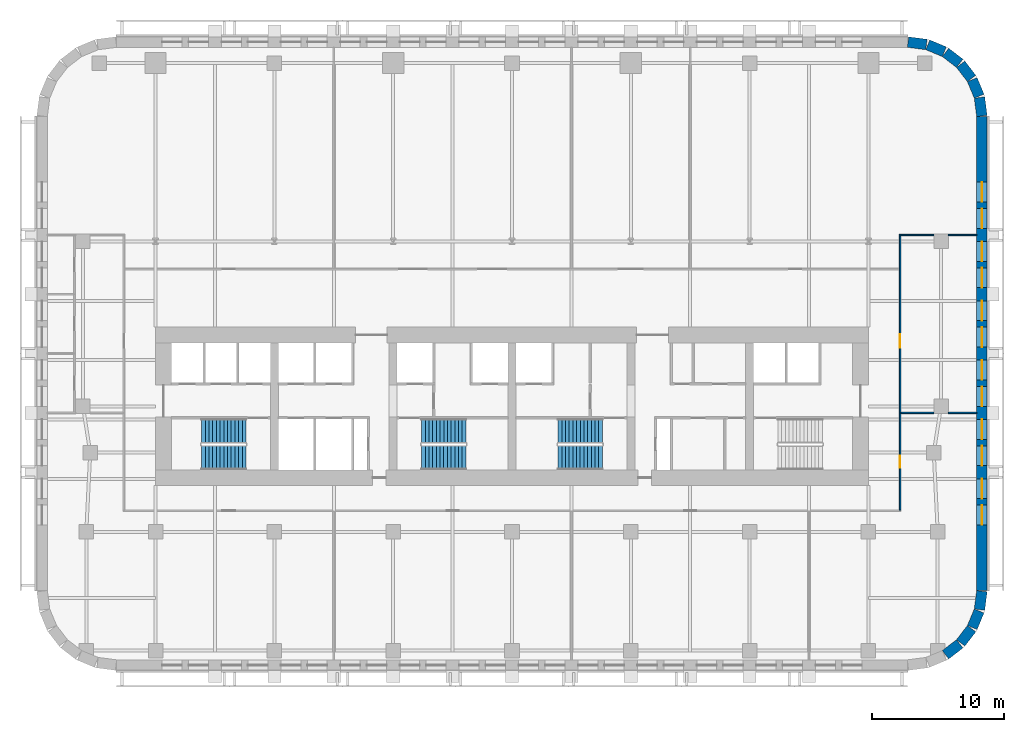
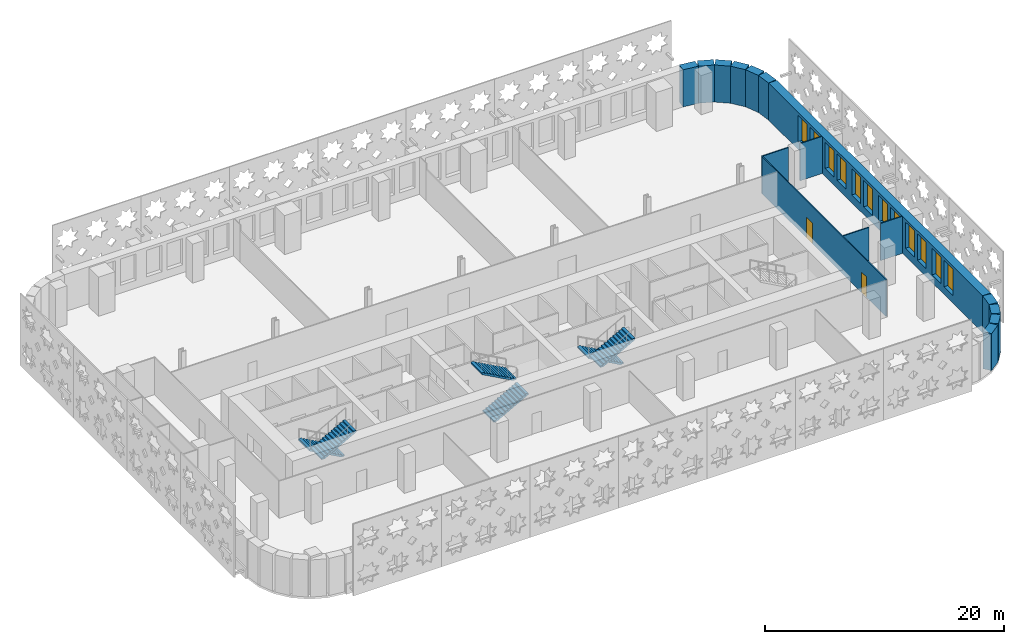
# One storey, part 8 of 14: 16 walls, 12 windows, 6 stair flights, 2 doors, 14 openings, 3 elements without a shape of their own.
"""IFC4 building model written with IfcOpenShell, lengths in metres."""

from ifc_helpers import new_model, si_unit, direction, frame, frame_2d, origin, place, context, subcontext, project, spatial, polyline, rectangle, outline, extrude, material, layer, layer_set, type_object, element, fill, aggregate, save


model = new_model("IFC4")

# Units and contexts
model_context = context("Model", 3, precision=1e-05, world=origin(), true_north=direction((0.0, 1.0)))
body_context = subcontext(model_context, "Body", "Model", "MODEL_VIEW")
ifc_project = project(units=[si_unit("LENGTHUNIT", "METRE"), si_unit("AREAUNIT", "SQUARE_METRE"), si_unit("VOLUMEUNIT", "CUBIC_METRE"), si_unit("PLANEANGLEUNIT", "RADIAN"), si_unit("MASSUNIT", "GRAM", prefix="KILO")], contexts=[model_context])

# Site, building, storey
site_placement = place(None, origin())
site = spatial("IfcSite", under=ifc_project, at=site_placement, CompositionType="ELEMENT")
building_placement = place(site_placement, origin())
building = spatial("IfcBuilding", under=site, at=building_placement, Name="Zellij Exchange Tower", CompositionType="ELEMENT")
storey_placement = place(building_placement, frame((0.0, 0.0, 68.5)))
storey = spatial("IfcBuildingStorey", under=building, at=storey_placement, Name="L13", CompositionType="ELEMENT", Elevation=68.5)

# Walls
ifc_material_1 = material(Name="Precast concrete C40/50", Category="concrete")
ifc_layer_1 = layer(ifc_material_1, 0.800048828125)
ifc_layer_set_1 = layer_set([ifc_layer_1], Name="Precast concrete C40/50")
wall_type_1 = type_object("IfcWallType", Name="ENV-EW1 Precast stone-piered wall 800", PredefinedType="SOLIDWALL", material=ifc_layer_set_1)
for number, where, z_axis, x_axis, name in (
    (1, (32.840087890625, -26.814697265625, 0.0), (0.0, 0.0, 1.0), (0.793272915452, 0.608866226366, 0.0), "fac.L13.03"),
    (2, (33.9892578125, -25.91552734375, 0.0), (0.0, 0.0, 1.0), (0.608866226366, 0.793272915452, 0.0), "fac.L13.04"),
):
    element("IfcWall", number, at=place(storey_placement, frame(where, z_axis=z_axis, x_axis=x_axis)), inside=storey, type_object=wall_type_1, Name=name, PredefinedType="SOLIDWALL", context=body_context, shape_type="SweptSolid", body=[
        extrude(rectangle(XDim=1.355712890625, YDim=0.800048828125, at=frame_2d((0.677734375, 0.0))), origin(), (0.0, 0.0, 1.0), 3.800048828125),
    ])
wall_1_placement = place(storey_placement, frame((34.866943359375, -24.74951171875, 0.0), z_axis=(0.0, 0.0, 1.0), x_axis=(0.38276009378, 0.923847774587, 0.0)))
element("IfcWall", 3, at=wall_1_placement, inside=storey, type_object=wall_type_1, Name="fac.L13.05", PredefinedType="SOLIDWALL", context=body_context, shape_type="SweptSolid", body=[
    extrude(rectangle(XDim=1.35546875, YDim=0.800048828125, at=frame_2d((0.677734375, 0.0))), origin(), (0.0, 0.0, 1.0), 3.800048828125),
])
wall_2_placement = place(storey_placement, frame((35.412841796875, -23.396240234375, 0.0), z_axis=(0.0, 0.0, 1.0), x_axis=(0.130517283865, 0.99144603414, 0.0)))
element("IfcWall", 4, at=wall_2_placement, inside=storey, type_object=wall_type_1, Name="fac.L13.06", PredefinedType="SOLIDWALL", context=body_context, shape_type="SweptSolid", body=[
    extrude(rectangle(XDim=1.408447265625, YDim=0.800048828125, at=frame_2d((0.7041015625, 0.0))), origin(), (0.0, 0.0, 1.0), 3.800048828125),
])

# Wall, openings, windows
wall_3_placement = place(storey_placement, frame((35.60009765625, -21.947509765625, 0.0), z_axis=(0.0, 0.0, 1.0), x_axis=(0.0, 1.0, 0.0)))
wall_3 = element("IfcWall", 5, at=wall_3_placement, inside=storey, type_object=wall_type_1, Name="fac.L13.07", PredefinedType="SOLIDWALL", context=body_context, shape_type="SweptSolid", body=[
    extrude(rectangle(XDim=35.89501953125, YDim=0.800048828125, at=frame_2d((17.947509765625, 0.0))), origin(), (0.0, 0.0, 1.0), 3.800048828125),
])
opening_1_placement = place(wall_3_placement, frame((4.9638671875, 0.0, 0.800048828125)))
opening_1 = element("IfcOpeningElement", 6, at=opening_1_placement, cuts=wall_3, Name="Opening FZ1.25", PredefinedType="OPENING", context=body_context, shape_type="SweptSolid", body=[
    extrude(rectangle(XDim=1.5, YDim=2.699951171875, at=frame_2d((0.75, 1.35009765625))), frame((0.0, 0.412109375, 0.0), z_axis=(0.0, -1.0, 0.0), x_axis=(1.0, 0.0, 0.0)), (0.0, 0.0, 1.0), 0.823974609375),
])
opening_2_placement = place(wall_3_placement, frame((6.9638671875, 0.0, 0.800048828125)))
opening_2 = element("IfcOpeningElement", 7, at=opening_2_placement, cuts=wall_3, Name="Opening FZ1.26", PredefinedType="OPENING", context=body_context, shape_type="SweptSolid", body=[
    extrude(rectangle(XDim=1.5, YDim=2.699951171875, at=frame_2d((0.75, 1.35009765625))), frame((0.0, 0.412109375, 0.0), z_axis=(0.0, -1.0, 0.0), x_axis=(1.0, 0.0, 0.0)), (0.0, 0.0, 1.0), 0.823974609375),
])
opening_3_placement = place(wall_3_placement, frame((9.45751953125, 0.0, 0.800048828125)))
opening_3 = element("IfcOpeningElement", 8, at=opening_3_placement, cuts=wall_3, Name="Opening FZ1.27", PredefinedType="OPENING", context=body_context, shape_type="SweptSolid", body=[
    extrude(rectangle(XDim=1.5, YDim=2.699951171875, at=frame_2d((0.75, 1.35009765625))), frame((0.0, 0.412109375, 0.0), z_axis=(0.0, -1.0, 0.0), x_axis=(1.0, 0.0, 0.0)), (0.0, 0.0, 1.0), 0.823974609375),
])
opening_4_placement = place(wall_3_placement, frame((11.45751953125, 0.0, 0.800048828125)))
opening_4 = element("IfcOpeningElement", 9, at=opening_4_placement, cuts=wall_3, Name="Opening FZ1.28", PredefinedType="OPENING", context=body_context, shape_type="SweptSolid", body=[
    extrude(rectangle(XDim=1.5, YDim=2.699951171875, at=frame_2d((0.75, 1.35009765625))), frame((0.0, 0.412109375, 0.0), z_axis=(0.0, -1.0, 0.0), x_axis=(1.0, 0.0, 0.0)), (0.0, 0.0, 1.0), 0.823974609375),
])
opening_5_placement = place(wall_3_placement, frame((13.950927734375, 0.0, 0.800048828125)))
opening_5 = element("IfcOpeningElement", 10, at=opening_5_placement, cuts=wall_3, Name="Opening FZ1.29", PredefinedType="OPENING", context=body_context, shape_type="SweptSolid", body=[
    extrude(rectangle(XDim=1.5, YDim=2.699951171875, at=frame_2d((0.75, 1.35009765625))), frame((0.0, 0.412109375, 0.0), z_axis=(0.0, -1.0, 0.0), x_axis=(1.0, 0.0, 0.0)), (0.0, 0.0, 1.0), 0.823974609375),
])
opening_6_placement = place(wall_3_placement, frame((15.95068359375, 0.0, 0.800048828125)))
opening_6 = element("IfcOpeningElement", 11, at=opening_6_placement, cuts=wall_3, Name="Opening FZ1.30", PredefinedType="OPENING", context=body_context, shape_type="SweptSolid", body=[
    extrude(rectangle(XDim=1.5, YDim=2.699951171875, at=frame_2d((0.75, 1.35009765625))), frame((0.0, 0.412109375, 0.0), z_axis=(0.0, -1.0, 0.0), x_axis=(1.0, 0.0, 0.0)), (0.0, 0.0, 1.0), 0.823974609375),
])
opening_7_placement = place(wall_3_placement, frame((18.4443359375, 0.0, 0.800048828125)))
opening_7 = element("IfcOpeningElement", 12, at=opening_7_placement, cuts=wall_3, Name="Opening FZ1.31", PredefinedType="OPENING", context=body_context, shape_type="SweptSolid", body=[
    extrude(rectangle(XDim=1.5, YDim=2.699951171875, at=frame_2d((0.75, 1.35009765625))), frame((0.0, 0.412109375, 0.0), z_axis=(0.0, -1.0, 0.0), x_axis=(1.0, 0.0, 0.0)), (0.0, 0.0, 1.0), 0.823974609375),
])
opening_8_placement = place(wall_3_placement, frame((20.4443359375, 0.0, 0.800048828125)))
opening_8 = element("IfcOpeningElement", 13, at=opening_8_placement, cuts=wall_3, Name="Opening FZ1.32", PredefinedType="OPENING", context=body_context, shape_type="SweptSolid", body=[
    extrude(rectangle(XDim=1.5, YDim=2.699951171875, at=frame_2d((0.75, 1.35009765625))), frame((0.0, 0.412109375, 0.0), z_axis=(0.0, -1.0, 0.0), x_axis=(1.0, 0.0, 0.0)), (0.0, 0.0, 1.0), 0.823974609375),
])
opening_9_placement = place(wall_3_placement, frame((22.937744140625, 0.0, 0.800048828125)))
opening_9 = element("IfcOpeningElement", 14, at=opening_9_placement, cuts=wall_3, Name="Opening FZ1.33", PredefinedType="OPENING", context=body_context, shape_type="SweptSolid", body=[
    extrude(rectangle(XDim=1.5, YDim=2.699951171875, at=frame_2d((0.75, 1.35009765625))), frame((0.0, 0.412109375, 0.0), z_axis=(0.0, -1.0, 0.0), x_axis=(1.0, 0.0, 0.0)), (0.0, 0.0, 1.0), 0.823974609375),
])
opening_10_placement = place(wall_3_placement, frame((24.937744140625, 0.0, 0.800048828125)))
opening_10 = element("IfcOpeningElement", 15, at=opening_10_placement, cuts=wall_3, Name="Opening FZ1.34", PredefinedType="OPENING", context=body_context, shape_type="SweptSolid", body=[
    extrude(rectangle(XDim=1.5, YDim=2.699951171875, at=frame_2d((0.75, 1.35009765625))), frame((0.0, 0.412109375, 0.0), z_axis=(0.0, -1.0, 0.0), x_axis=(1.0, 0.0, 0.0)), (0.0, 0.0, 1.0), 0.823974609375),
])
opening_11_placement = place(wall_3_placement, frame((27.43115234375, 0.0, 0.800048828125)))
opening_11 = element("IfcOpeningElement", 16, at=opening_11_placement, cuts=wall_3, Name="Opening FZ1.35", PredefinedType="OPENING", context=body_context, shape_type="SweptSolid", body=[
    extrude(rectangle(XDim=1.5, YDim=2.699951171875, at=frame_2d((0.75, 1.35009765625))), frame((0.0, 0.412109375, 0.0), z_axis=(0.0, -1.0, 0.0), x_axis=(1.0, 0.0, 0.0)), (0.0, 0.0, 1.0), 0.823974609375),
])
opening_12_placement = place(wall_3_placement, frame((29.43115234375, 0.0, 0.800048828125)))
opening_12 = element("IfcOpeningElement", 17, at=opening_12_placement, cuts=wall_3, Name="Opening FZ1.36", PredefinedType="OPENING", context=body_context, shape_type="SweptSolid", body=[
    extrude(rectangle(XDim=1.5, YDim=2.699951171875, at=frame_2d((0.75, 1.35009765625))), frame((0.0, 0.412109375, 0.0), z_axis=(0.0, -1.0, 0.0), x_axis=(1.0, 0.0, 0.0)), (0.0, 0.0, 1.0), 0.823974609375),
])
ifc_material_2 = material(Name="Aluminium frame with insulating glass", Category="aluminium")
window_type = type_object("IfcWindowType", Name="ENV-W6 Window 1500x2700", PartitioningType="SINGLE_PANEL", PredefinedType="WINDOW", material=ifc_material_2)
window_1_placement = place(opening_1_placement, origin())
window_1 = element("IfcWindow", 18, at=window_1_placement, inside=storey, type_object=window_type, Name="Window FZ1.25", OverallHeight=2.699951171875, OverallWidth=1.5, PartitioningType="SINGLE_PANEL", PredefinedType="WINDOW", context=body_context, shape_type="SweptSolid", body=[
    extrude(rectangle(XDim=1.5, YDim=2.699951171875, at=frame_2d((0.75, 1.35009765625))), frame((0.0, 0.030029296875, 0.0), z_axis=(0.0, -1.0, 0.0), x_axis=(1.0, 0.0, 0.0)), (0.0, 0.0, 1.0), 0.06005859375),
])
fill(opening_1, window_1)
window_2_placement = place(opening_2_placement, origin())
window_2 = element("IfcWindow", 19, at=window_2_placement, inside=storey, type_object=window_type, Name="Window FZ1.26", OverallHeight=2.699951171875, OverallWidth=1.5, PartitioningType="SINGLE_PANEL", PredefinedType="WINDOW", context=body_context, shape_type="SweptSolid", body=[
    extrude(rectangle(XDim=1.5, YDim=2.699951171875, at=frame_2d((0.75, 1.35009765625))), frame((0.0, 0.030029296875, 0.0), z_axis=(0.0, -1.0, 0.0), x_axis=(1.0, 0.0, 0.0)), (0.0, 0.0, 1.0), 0.06005859375),
])
fill(opening_2, window_2)
window_3_placement = place(opening_3_placement, origin())
window_3 = element("IfcWindow", 20, at=window_3_placement, inside=storey, type_object=window_type, Name="Window FZ1.27", OverallHeight=2.699951171875, OverallWidth=1.5, PartitioningType="SINGLE_PANEL", PredefinedType="WINDOW", context=body_context, shape_type="SweptSolid", body=[
    extrude(rectangle(XDim=1.5, YDim=2.699951171875, at=frame_2d((0.75, 1.35009765625))), frame((0.0, 0.030029296875, 0.0), z_axis=(0.0, -1.0, 0.0), x_axis=(1.0, 0.0, 0.0)), (0.0, 0.0, 1.0), 0.06005859375),
])
fill(opening_3, window_3)
window_4_placement = place(opening_4_placement, origin())
window_4 = element("IfcWindow", 21, at=window_4_placement, inside=storey, type_object=window_type, Name="Window FZ1.28", OverallHeight=2.699951171875, OverallWidth=1.5, PartitioningType="SINGLE_PANEL", PredefinedType="WINDOW", context=body_context, shape_type="SweptSolid", body=[
    extrude(rectangle(XDim=1.5, YDim=2.699951171875, at=frame_2d((0.75, 1.35009765625))), frame((0.0, 0.030029296875, 0.0), z_axis=(0.0, -1.0, 0.0), x_axis=(1.0, 0.0, 0.0)), (0.0, 0.0, 1.0), 0.06005859375),
])
fill(opening_4, window_4)
window_5_placement = place(opening_5_placement, origin())
window_5 = element("IfcWindow", 22, at=window_5_placement, inside=storey, type_object=window_type, Name="Window FZ1.29", OverallHeight=2.699951171875, OverallWidth=1.5, PartitioningType="SINGLE_PANEL", PredefinedType="WINDOW", context=body_context, shape_type="SweptSolid", body=[
    extrude(rectangle(XDim=1.5, YDim=2.699951171875, at=frame_2d((0.75, 1.35009765625))), frame((0.0, 0.030029296875, 0.0), z_axis=(0.0, -1.0, 0.0), x_axis=(1.0, 0.0, 0.0)), (0.0, 0.0, 1.0), 0.06005859375),
])
fill(opening_5, window_5)
window_6_placement = place(opening_6_placement, origin())
window_6 = element("IfcWindow", 23, at=window_6_placement, inside=storey, type_object=window_type, Name="Window FZ1.30", OverallHeight=2.699951171875, OverallWidth=1.5, PartitioningType="SINGLE_PANEL", PredefinedType="WINDOW", context=body_context, shape_type="SweptSolid", body=[
    extrude(rectangle(XDim=1.5, YDim=2.699951171875, at=frame_2d((0.75, 1.35009765625))), frame((0.0, 0.030029296875, 0.0), z_axis=(0.0, -1.0, 0.0), x_axis=(1.0, 0.0, 0.0)), (0.0, 0.0, 1.0), 0.06005859375),
])
fill(opening_6, window_6)
window_7_placement = place(opening_7_placement, origin())
window_7 = element("IfcWindow", 24, at=window_7_placement, inside=storey, type_object=window_type, Name="Window FZ1.31", OverallHeight=2.699951171875, OverallWidth=1.5, PartitioningType="SINGLE_PANEL", PredefinedType="WINDOW", context=body_context, shape_type="SweptSolid", body=[
    extrude(rectangle(XDim=1.5, YDim=2.699951171875, at=frame_2d((0.75, 1.35009765625))), frame((0.0, 0.030029296875, 0.0), z_axis=(0.0, -1.0, 0.0), x_axis=(1.0, 0.0, 0.0)), (0.0, 0.0, 1.0), 0.06005859375),
])
fill(opening_7, window_7)
window_8_placement = place(opening_8_placement, origin())
window_8 = element("IfcWindow", 25, at=window_8_placement, inside=storey, type_object=window_type, Name="Window FZ1.32", OverallHeight=2.699951171875, OverallWidth=1.5, PartitioningType="SINGLE_PANEL", PredefinedType="WINDOW", context=body_context, shape_type="SweptSolid", body=[
    extrude(rectangle(XDim=1.5, YDim=2.699951171875, at=frame_2d((0.75, 1.35009765625))), frame((0.0, 0.030029296875, 0.0), z_axis=(0.0, -1.0, 0.0), x_axis=(1.0, 0.0, 0.0)), (0.0, 0.0, 1.0), 0.06005859375),
])
fill(opening_8, window_8)
window_9_placement = place(opening_9_placement, origin())
window_9 = element("IfcWindow", 26, at=window_9_placement, inside=storey, type_object=window_type, Name="Window FZ1.33", OverallHeight=2.699951171875, OverallWidth=1.5, PartitioningType="SINGLE_PANEL", PredefinedType="WINDOW", context=body_context, shape_type="SweptSolid", body=[
    extrude(rectangle(XDim=1.5, YDim=2.699951171875, at=frame_2d((0.75, 1.35009765625))), frame((0.0, 0.030029296875, 0.0), z_axis=(0.0, -1.0, 0.0), x_axis=(1.0, 0.0, 0.0)), (0.0, 0.0, 1.0), 0.06005859375),
])
fill(opening_9, window_9)
window_10_placement = place(opening_10_placement, origin())
window_10 = element("IfcWindow", 27, at=window_10_placement, inside=storey, type_object=window_type, Name="Window FZ1.34", OverallHeight=2.699951171875, OverallWidth=1.5, PartitioningType="SINGLE_PANEL", PredefinedType="WINDOW", context=body_context, shape_type="SweptSolid", body=[
    extrude(rectangle(XDim=1.5, YDim=2.699951171875, at=frame_2d((0.75, 1.35009765625))), frame((0.0, 0.030029296875, 0.0), z_axis=(0.0, -1.0, 0.0), x_axis=(1.0, 0.0, 0.0)), (0.0, 0.0, 1.0), 0.06005859375),
])
fill(opening_10, window_10)
window_11_placement = place(opening_11_placement, origin())
window_11 = element("IfcWindow", 28, at=window_11_placement, inside=storey, type_object=window_type, Name="Window FZ1.35", OverallHeight=2.699951171875, OverallWidth=1.5, PartitioningType="SINGLE_PANEL", PredefinedType="WINDOW", context=body_context, shape_type="SweptSolid", body=[
    extrude(rectangle(XDim=1.5, YDim=2.699951171875, at=frame_2d((0.75, 1.35009765625))), frame((0.0, 0.030029296875, 0.0), z_axis=(0.0, -1.0, 0.0), x_axis=(1.0, 0.0, 0.0)), (0.0, 0.0, 1.0), 0.06005859375),
])
fill(opening_11, window_11)
window_12_placement = place(opening_12_placement, origin())
window_12 = element("IfcWindow", 29, at=window_12_placement, inside=storey, type_object=window_type, Name="Window FZ1.36", OverallHeight=2.699951171875, OverallWidth=1.5, PartitioningType="SINGLE_PANEL", PredefinedType="WINDOW", context=body_context, shape_type="SweptSolid", body=[
    extrude(rectangle(XDim=1.5, YDim=2.699951171875, at=frame_2d((0.75, 1.35009765625))), frame((0.0, 0.030029296875, 0.0), z_axis=(0.0, -1.0, 0.0), x_axis=(1.0, 0.0, 0.0)), (0.0, 0.0, 1.0), 0.06005859375),
])
fill(opening_12, window_12)

# Walls
wall_4_placement = place(storey_placement, frame((35.5966796875, 13.999755859375, 0.0), z_axis=(0.0, 0.0, 1.0), x_axis=(-0.130517283865, 0.99144603414, 0.0)))
element("IfcWall", 30, at=wall_4_placement, inside=storey, type_object=wall_type_1, Name="fac.L13.08", PredefinedType="SOLIDWALL", context=body_context, shape_type="SweptSolid", body=[
    extrude(rectangle(XDim=1.408447265625, YDim=0.800048828125, at=frame_2d((0.7041015625, 0.0))), origin(), (0.0, 0.0, 1.0), 3.800048828125),
])
wall_5_placement = place(storey_placement, frame((35.3857421875, 15.497314453125, 0.0), z_axis=(0.0, 0.0, 1.0), x_axis=(-0.38276009378, 0.923847774587, 0.0)))
element("IfcWall", 31, at=wall_5_placement, inside=storey, type_object=wall_type_1, Name="fac.L13.09", PredefinedType="SOLIDWALL", context=body_context, shape_type="SweptSolid", body=[
    extrude(rectangle(XDim=1.35546875, YDim=0.800048828125, at=frame_2d((0.677734375, 0.0))), origin(), (0.0, 0.0, 1.0), 3.800048828125),
])
for number, where, z_axis, x_axis, name in (
    (32, (34.814697265625, 16.840087890625, 0.0), (0.0, 0.0, 1.0), (-0.608866226366, 0.793272915452, 0.0), "fac.L13.10"),
    (33, (33.91552734375, 17.9892578125, 0.0), (0.0, 0.0, 1.0), (-0.793272915452, 0.608866226366, 0.0), "fac.L13.11"),
):
    element("IfcWall", number, at=place(storey_placement, frame(where, z_axis=z_axis, x_axis=x_axis)), inside=storey, type_object=wall_type_1, Name=name, PredefinedType="SOLIDWALL", context=body_context, shape_type="SweptSolid", body=[
        extrude(rectangle(XDim=1.355712890625, YDim=0.800048828125, at=frame_2d((0.677734375, 0.0))), origin(), (0.0, 0.0, 1.0), 3.800048828125),
    ])
wall_6_placement = place(storey_placement, frame((32.74951171875, 18.866943359375, 0.0), z_axis=(0.0, 0.0, 1.0), x_axis=(-0.923847774587, 0.38276009378, 0.0)))
element("IfcWall", 34, at=wall_6_placement, inside=storey, type_object=wall_type_1, Name="fac.L13.12", PredefinedType="SOLIDWALL", context=body_context, shape_type="SweptSolid", body=[
    extrude(rectangle(XDim=1.35546875, YDim=0.800048828125, at=frame_2d((0.677734375, 0.0))), origin(), (0.0, 0.0, 1.0), 3.800048828125),
])
wall_7_placement = place(storey_placement, frame((31.396240234375, 19.412841796875, 0.0), z_axis=(0.0, 0.0, 1.0), x_axis=(-0.99144603414, 0.130517283865, 0.0)))
element("IfcWall", 35, at=wall_7_placement, inside=storey, type_object=wall_type_1, Name="fac.L13.13", PredefinedType="SOLIDWALL", context=body_context, shape_type="SweptSolid", body=[
    extrude(rectangle(XDim=1.408447265625, YDim=0.800048828125, at=frame_2d((0.7041015625, 0.0))), origin(), (0.0, 0.0, 1.0), 3.800048828125),
])

# Wall, openings, doors
ifc_material_3 = material(Name="Gypsum board partition on steel studs", Category="steel")
ifc_layer_2 = layer(ifc_material_3, 0.10009765625)
ifc_layer_set_2 = layer_set([ifc_layer_2], Name="Gypsum board partition on steel studs")
wall_type_2 = type_object("IfcWallType", Name="FIT-PARTITION-100", PredefinedType="PARTITIONING", material=ifc_layer_set_2)
wall_8_placement = place(storey_placement, frame((29.39990234375, -15.85009765625, 0.0), z_axis=(0.0, 0.0, 1.0), x_axis=(0.0, 1.0, 0.0)))
wall_8 = element("IfcWall", 36, at=wall_8_placement, inside=storey, type_object=wall_type_2, Name="FIT-PARTITION-100 009", PredefinedType="PARTITIONING", context=body_context, shape_type="SweptSolid", body=[
    extrude(rectangle(XDim=20.7900390625, YDim=0.10009765625, at=frame_2d((10.39501953125, 0.0))), origin(), (0.0, 0.0, 1.0), 3.800048828125),
])
opening_13_placement = place(wall_8_placement, frame((3.199951171875, 0.0, 0.0)))
opening_13 = element("IfcOpeningElement", 37, at=opening_13_placement, cuts=wall_8, Name="Opening TB.04", PredefinedType="OPENING", context=body_context, shape_type="SweptSolid", body=[
    extrude(rectangle(XDim=0.89990234375, YDim=2.10009765625, at=frame_2d((0.449951171875, 1.050048828125))), frame((0.0, 0.06201171875, 0.0), z_axis=(0.0, -1.0, 0.0), x_axis=(1.0, 0.0, 0.0)), (0.0, 0.0, 1.0), 0.1240234375),
])
opening_14_placement = place(wall_8_placement, frame((12.31005859375, 0.0, 0.0)))
opening_14 = element("IfcOpeningElement", 38, at=opening_14_placement, cuts=wall_8, Name="Opening TB.07", PredefinedType="OPENING", context=body_context, shape_type="SweptSolid", body=[
    extrude(rectangle(XDim=1.0, YDim=2.10009765625, at=frame_2d((0.5, 1.050048828125))), frame((0.0, 0.06201171875, 0.0), z_axis=(0.0, -1.0, 0.0), x_axis=(1.0, 0.0, 0.0)), (0.0, 0.0, 1.0), 0.1240234375),
])
ifc_material_4 = material(Name="Timber door set", Category="wood")
door_type_1 = type_object("IfcDoorType", Name="FIT-D1-ROOM-900X2100", OperationType="SINGLE_SWING_LEFT", PredefinedType="DOOR", material=ifc_material_4)
door_1_placement = place(opening_13_placement, origin())
door_1 = element("IfcDoor", 39, at=door_1_placement, inside=storey, type_object=door_type_1, Name="Door TB.04", OperationType="SINGLE_SWING_LEFT", OverallHeight=2.10009765625, OverallWidth=0.89990234375, PredefinedType="DOOR", context=body_context, shape_type="SweptSolid", body=[
    extrude(rectangle(XDim=0.89990234375, YDim=2.10009765625, at=frame_2d((0.449951171875, 1.050048828125))), frame((0.0, 0.02490234375, 0.0), z_axis=(0.0, -1.0, 0.0), x_axis=(1.0, 0.0, 0.0)), (0.0, 0.0, 1.0), 0.050048828125),
])
fill(opening_13, door_1)
door_type_2 = type_object("IfcDoorType", Name="FIT-D2-WIDE-1000X2100", OperationType="SINGLE_SWING_LEFT", PredefinedType="DOOR", material=ifc_material_4)
door_2_placement = place(opening_14_placement, origin())
door_2 = element("IfcDoor", 40, at=door_2_placement, inside=storey, type_object=door_type_2, Name="Door TB.07", OperationType="SINGLE_SWING_RIGHT", OverallHeight=2.10009765625, OverallWidth=1.0, PredefinedType="DOOR", context=body_context, shape_type="SweptSolid", body=[
    extrude(rectangle(XDim=1.0, YDim=2.10009765625, at=frame_2d((0.5, 1.050048828125))), frame((0.0, 0.02490234375, 0.0), z_axis=(0.0, -1.0, 0.0), x_axis=(1.0, 0.0, 0.0)), (0.0, 0.0, 1.0), 0.050048828125),
])
fill(opening_14, door_2)

# Walls
wall_9_placement = place(storey_placement, frame((29.449951171875, -8.489990234375, 0.0), z_axis=(0.0, 0.0, 1.0), x_axis=(1.0, 0.0, 0.0)))
element("IfcWall", 41, at=wall_9_placement, inside=storey, type_object=wall_type_2, Name="FIT-PARTITION-100 013", PredefinedType="PARTITIONING", context=body_context, shape_type="SweptSolid", body=[
    extrude(rectangle(XDim=2.5, YDim=0.10009765625, at=frame_2d((1.25, 0.0))), origin(), (0.0, 0.0, 1.0), 3.800048828125),
])
wall_10_placement = place(storey_placement, frame((33.050048828125, -8.489990234375, 0.0), z_axis=(0.0, 0.0, 1.0), x_axis=(1.0, 0.0, 0.0)))
element("IfcWall", 42, at=wall_10_placement, inside=storey, type_object=wall_type_2, Name="FIT-PARTITION-100 014", PredefinedType="PARTITIONING", context=body_context, shape_type="SweptSolid", body=[
    extrude(rectangle(XDim=2.14990234375, YDim=0.10009765625, at=frame_2d((1.074951171875, 0.0))), origin(), (0.0, 0.0, 1.0), 3.800048828125),
])
wall_11_placement = place(storey_placement, frame((29.35009765625, 4.989990234375, 0.0), z_axis=(0.0, 0.0, 1.0), x_axis=(1.0, 0.0, 0.0)))
element("IfcWall", 43, at=wall_11_placement, inside=storey, type_object=wall_type_2, Name="FIT-PARTITION-100 026", PredefinedType="PARTITIONING", context=body_context, shape_type="SweptSolid", body=[
    extrude(rectangle(XDim=2.599853515625, YDim=0.10009765625, at=frame_2d((1.2998046875, 0.0))), origin(), (0.0, 0.0, 1.0), 3.800048828125),
])
wall_12_placement = place(storey_placement, frame((33.050048828125, 4.989990234375, 0.0), z_axis=(0.0, 0.0, 1.0), x_axis=(1.0, 0.0, 0.0)))
element("IfcWall", 44, at=wall_12_placement, inside=storey, type_object=wall_type_2, Name="FIT-PARTITION-100 027", PredefinedType="PARTITIONING", context=body_context, shape_type="SweptSolid", body=[
    extrude(rectangle(XDim=2.14990234375, YDim=0.10009765625, at=frame_2d((1.074951171875, 0.0))), origin(), (0.0, 0.0, 1.0), 3.800048828125),
])

# Stair, stair flights
ifc_material_5 = material(Name="Concrete C40/50", Category="concrete")
stair_type = type_object("IfcStairType", Name="CORE-ST exit stair 1850 wide", PredefinedType="HALF_TURN_STAIR", material=ifc_material_5)
stair_1_placement = place(storey_placement, origin())
stair_1 = element("IfcStair", 45, at=stair_1_placement, inside=storey, type_object=stair_type, Name="L13 exit stair ST1", PredefinedType="HALF_TURN_STAIR")
stair_flight_type = type_object("IfcStairFlightType", Name="CORE-SF flight 1850 riser 153.8 going 280", PredefinedType="STRAIGHT", material=ifc_material_5)
stair_flight_1_placement = place(storey_placement, frame((-20.14990234375, -9.875, 0.0), z_axis=(0.0, 0.0, 1.0), x_axis=(-1.0, 0.0, 0.0)))
stair_flight_1 = element("IfcStairFlight", 46, at=stair_flight_1_placement, type_object=stair_flight_type, Name="ST1 flight 1", NumberOfRisers=13, NumberOfTreads=12, PredefinedType="STRAIGHT", RiserHeight=0.153846154, TreadLength=0.28, context=body_context, shape_type="SweptSolid", body=[
    extrude(outline(polyline([(0.0, 0.0), (0.0, 0.15380859375), (0.280029296875, 0.15380859375), (0.280029296875, 0.3076171875), (0.56005859375, 0.3076171875), (0.56005859375, 0.46142578125), (0.840087890625, 0.46142578125), (0.840087890625, 0.615478515625), (1.1201171875, 0.615478515625), (1.1201171875, 0.769287109375), (1.39990234375, 0.769287109375), (1.39990234375, 0.923095703125), (1.679931640625, 0.923095703125), (1.679931640625, 1.076904296875), (1.9599609375, 1.076904296875), (1.9599609375, 1.230712890625), (2.239990234375, 1.230712890625), (2.239990234375, 1.384521484375), (2.52001953125, 1.384521484375), (2.52001953125, 1.53857421875), (2.800048828125, 1.53857421875), (2.800048828125, 1.6923828125), (3.080078125, 1.6923828125), (3.080078125, 1.84619140625), (3.360107421875, 1.84619140625), (3.360107421875, 2.0), (3.360107421875, 1.675048828125), (0.311279296875, 0.0), (0.0, 0.0)])), frame((0.0, 0.925048828125, 0.0), z_axis=(0.0, -1.0, 0.0), x_axis=(1.0, 0.0, 0.0)), (0.0, 0.0, 1.0), 1.85009765625),
])
stair_flight_2_placement = place(storey_placement, frame((-23.510009765625, -11.875, 2.0), z_axis=(0.0, 0.0, 1.0), x_axis=(1.0, 0.0, 0.0)))
stair_flight_2 = element("IfcStairFlight", 47, at=stair_flight_2_placement, type_object=stair_flight_type, Name="ST1 flight 2", NumberOfRisers=13, NumberOfTreads=12, PredefinedType="STRAIGHT", RiserHeight=0.153846154, TreadLength=0.28, context=body_context, shape_type="SweptSolid", body=[
    extrude(outline(polyline([(0.0, 0.0), (0.0, 0.15380859375), (0.280029296875, 0.15380859375), (0.280029296875, 0.3076171875), (0.56005859375, 0.3076171875), (0.56005859375, 0.46142578125), (0.840087890625, 0.46142578125), (0.840087890625, 0.615478515625), (1.1201171875, 0.615478515625), (1.1201171875, 0.769287109375), (1.39990234375, 0.769287109375), (1.39990234375, 0.923095703125), (1.679931640625, 0.923095703125), (1.679931640625, 1.076904296875), (1.9599609375, 1.076904296875), (1.9599609375, 1.230712890625), (2.239990234375, 1.230712890625), (2.239990234375, 1.384521484375), (2.52001953125, 1.384521484375), (2.52001953125, 1.53857421875), (2.800048828125, 1.53857421875), (2.800048828125, 1.6923828125), (3.080078125, 1.6923828125), (3.080078125, 1.84619140625), (3.360107421875, 1.84619140625), (3.360107421875, 2.0), (3.360107421875, 1.675048828125), (0.311279296875, 0.0), (0.0, 0.0)])), frame((0.0, 0.925048828125, 0.0), z_axis=(0.0, -1.0, 0.0), x_axis=(1.0, 0.0, 0.0)), (0.0, 0.0, 1.0), 1.85009765625),
])
aggregate(stair_1, [stair_flight_1, stair_flight_2])

stair_2_placement = place(storey_placement, origin())
stair_2 = element("IfcStair", 48, at=stair_2_placement, inside=storey, type_object=stair_type, Name="L13 exit stair ST2", PredefinedType="HALF_TURN_STAIR")
stair_flight_3_placement = place(storey_placement, frame((-6.85009765625, -11.875, 0.0), z_axis=(0.0, 0.0, 1.0), x_axis=(1.0, 0.0, 0.0)))
stair_flight_3 = element("IfcStairFlight", 49, at=stair_flight_3_placement, type_object=stair_flight_type, Name="ST2 flight 1", NumberOfRisers=13, NumberOfTreads=12, PredefinedType="STRAIGHT", RiserHeight=0.153846154, TreadLength=0.28, context=body_context, shape_type="SweptSolid", body=[
    extrude(outline(polyline([(0.0, 0.0), (0.0, 0.15380859375), (0.280029296875, 0.15380859375), (0.280029296875, 0.3076171875), (0.56005859375, 0.3076171875), (0.56005859375, 0.46142578125), (0.840087890625, 0.46142578125), (0.840087890625, 0.615478515625), (1.1201171875, 0.615478515625), (1.1201171875, 0.769287109375), (1.39990234375, 0.769287109375), (1.39990234375, 0.923095703125), (1.679931640625, 0.923095703125), (1.679931640625, 1.076904296875), (1.9599609375, 1.076904296875), (1.9599609375, 1.230712890625), (2.239990234375, 1.230712890625), (2.239990234375, 1.384521484375), (2.52001953125, 1.384521484375), (2.52001953125, 1.53857421875), (2.800048828125, 1.53857421875), (2.800048828125, 1.6923828125), (3.080078125, 1.6923828125), (3.080078125, 1.84619140625), (3.360107421875, 1.84619140625), (3.360107421875, 2.0), (3.360107421875, 1.675048828125), (0.311279296875, 0.0), (0.0, 0.0)])), frame((0.0, 0.925048828125, 0.0), z_axis=(0.0, -1.0, 0.0), x_axis=(1.0, 0.0, 0.0)), (0.0, 0.0, 1.0), 1.85009765625),
])
stair_flight_4_placement = place(storey_placement, frame((-3.489990234375, -9.875, 2.0), z_axis=(0.0, 0.0, 1.0), x_axis=(-1.0, 0.0, 0.0)))
stair_flight_4 = element("IfcStairFlight", 50, at=stair_flight_4_placement, type_object=stair_flight_type, Name="ST2 flight 2", NumberOfRisers=13, NumberOfTreads=12, PredefinedType="STRAIGHT", RiserHeight=0.153846154, TreadLength=0.28, context=body_context, shape_type="SweptSolid", body=[
    extrude(outline(polyline([(0.0, 0.0), (0.0, 0.15380859375), (0.280029296875, 0.15380859375), (0.280029296875, 0.3076171875), (0.56005859375, 0.3076171875), (0.56005859375, 0.46142578125), (0.840087890625, 0.46142578125), (0.840087890625, 0.615478515625), (1.1201171875, 0.615478515625), (1.1201171875, 0.769287109375), (1.39990234375, 0.769287109375), (1.39990234375, 0.923095703125), (1.679931640625, 0.923095703125), (1.679931640625, 1.076904296875), (1.9599609375, 1.076904296875), (1.9599609375, 1.230712890625), (2.239990234375, 1.230712890625), (2.239990234375, 1.384521484375), (2.52001953125, 1.384521484375), (2.52001953125, 1.53857421875), (2.800048828125, 1.53857421875), (2.800048828125, 1.6923828125), (3.080078125, 1.6923828125), (3.080078125, 1.84619140625), (3.360107421875, 1.84619140625), (3.360107421875, 2.0), (3.360107421875, 1.675048828125), (0.311279296875, 0.0), (0.0, 0.0)])), frame((0.0, 0.925048828125, 0.0), z_axis=(0.0, -1.0, 0.0), x_axis=(1.0, 0.0, 0.0)), (0.0, 0.0, 1.0), 1.85009765625),
])
aggregate(stair_2, [stair_flight_3, stair_flight_4])

stair_3_placement = place(storey_placement, origin())
stair_3 = element("IfcStair", 51, at=stair_3_placement, inside=storey, type_object=stair_type, Name="L13 exit stair ST3", PredefinedType="HALF_TURN_STAIR")
stair_flight_5_placement = place(storey_placement, frame((6.85009765625, -9.875, 0.0), z_axis=(0.0, 0.0, 1.0), x_axis=(-1.0, 0.0, 0.0)))
stair_flight_5 = element("IfcStairFlight", 52, at=stair_flight_5_placement, type_object=stair_flight_type, Name="ST3 flight 1", NumberOfRisers=13, NumberOfTreads=12, PredefinedType="STRAIGHT", RiserHeight=0.153846154, TreadLength=0.28, context=body_context, shape_type="SweptSolid", body=[
    extrude(outline(polyline([(0.0, 0.0), (0.0, 0.15380859375), (0.280029296875, 0.15380859375), (0.280029296875, 0.3076171875), (0.56005859375, 0.3076171875), (0.56005859375, 0.46142578125), (0.840087890625, 0.46142578125), (0.840087890625, 0.615478515625), (1.1201171875, 0.615478515625), (1.1201171875, 0.769287109375), (1.39990234375, 0.769287109375), (1.39990234375, 0.923095703125), (1.679931640625, 0.923095703125), (1.679931640625, 1.076904296875), (1.9599609375, 1.076904296875), (1.9599609375, 1.230712890625), (2.239990234375, 1.230712890625), (2.239990234375, 1.384521484375), (2.52001953125, 1.384521484375), (2.52001953125, 1.53857421875), (2.800048828125, 1.53857421875), (2.800048828125, 1.6923828125), (3.080078125, 1.6923828125), (3.080078125, 1.84619140625), (3.360107421875, 1.84619140625), (3.360107421875, 2.0), (3.360107421875, 1.675048828125), (0.311279296875, 0.0), (0.0, 0.0)])), frame((0.0, 0.925048828125, 0.0), z_axis=(0.0, -1.0, 0.0), x_axis=(1.0, 0.0, 0.0)), (0.0, 0.0, 1.0), 1.85009765625),
])
stair_flight_6_placement = place(storey_placement, frame((3.489990234375, -11.875, 2.0), z_axis=(0.0, 0.0, 1.0), x_axis=(1.0, 0.0, 0.0)))
stair_flight_6 = element("IfcStairFlight", 53, at=stair_flight_6_placement, type_object=stair_flight_type, Name="ST3 flight 2", NumberOfRisers=13, NumberOfTreads=12, PredefinedType="STRAIGHT", RiserHeight=0.153846154, TreadLength=0.28, context=body_context, shape_type="SweptSolid", body=[
    extrude(outline(polyline([(0.0, 0.0), (0.0, 0.15380859375), (0.280029296875, 0.15380859375), (0.280029296875, 0.3076171875), (0.56005859375, 0.3076171875), (0.56005859375, 0.46142578125), (0.840087890625, 0.46142578125), (0.840087890625, 0.615478515625), (1.1201171875, 0.615478515625), (1.1201171875, 0.769287109375), (1.39990234375, 0.769287109375), (1.39990234375, 0.923095703125), (1.679931640625, 0.923095703125), (1.679931640625, 1.076904296875), (1.9599609375, 1.076904296875), (1.9599609375, 1.230712890625), (2.239990234375, 1.230712890625), (2.239990234375, 1.384521484375), (2.52001953125, 1.384521484375), (2.52001953125, 1.53857421875), (2.800048828125, 1.53857421875), (2.800048828125, 1.6923828125), (3.080078125, 1.6923828125), (3.080078125, 1.84619140625), (3.360107421875, 1.84619140625), (3.360107421875, 2.0), (3.360107421875, 1.675048828125), (0.311279296875, 0.0), (0.0, 0.0)])), frame((0.0, 0.925048828125, 0.0), z_axis=(0.0, -1.0, 0.0), x_axis=(1.0, 0.0, 0.0)), (0.0, 0.0, 1.0), 1.85009765625),
])
aggregate(stair_3, [stair_flight_5, stair_flight_6])

save(model, "model.ifc")
